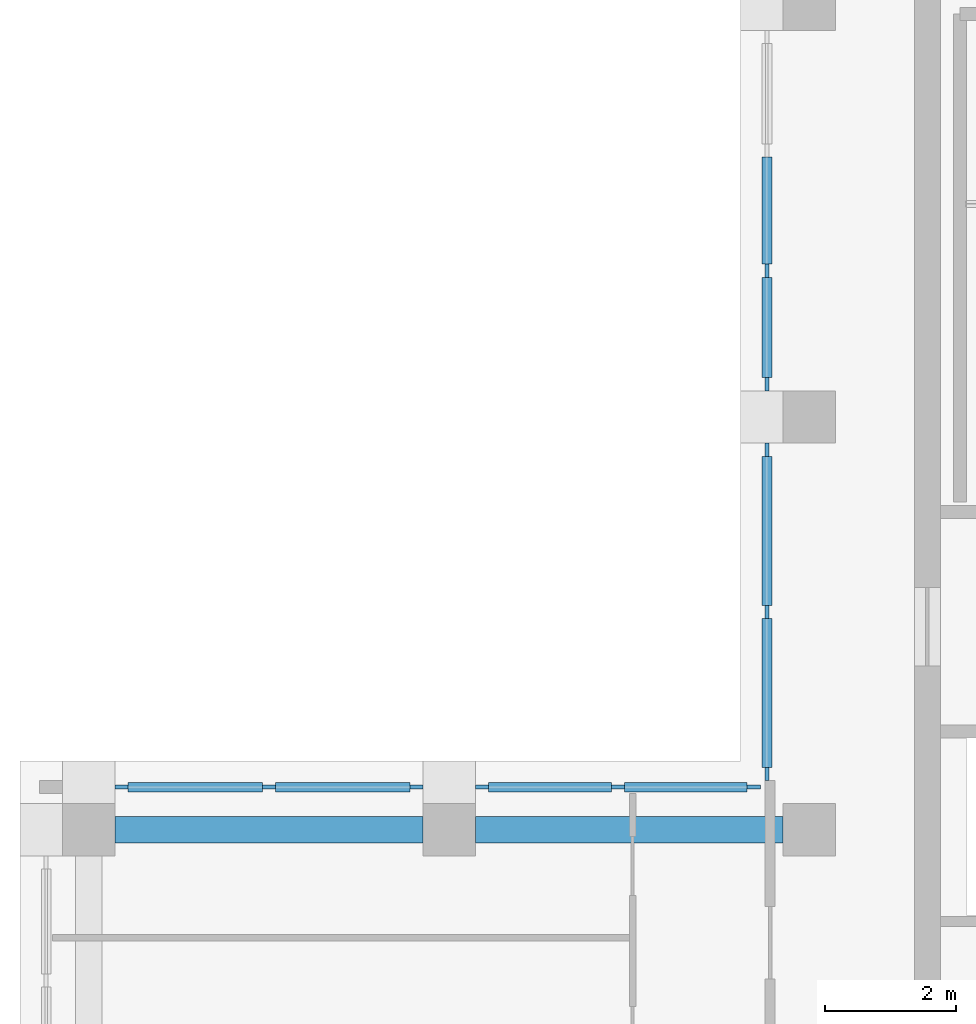
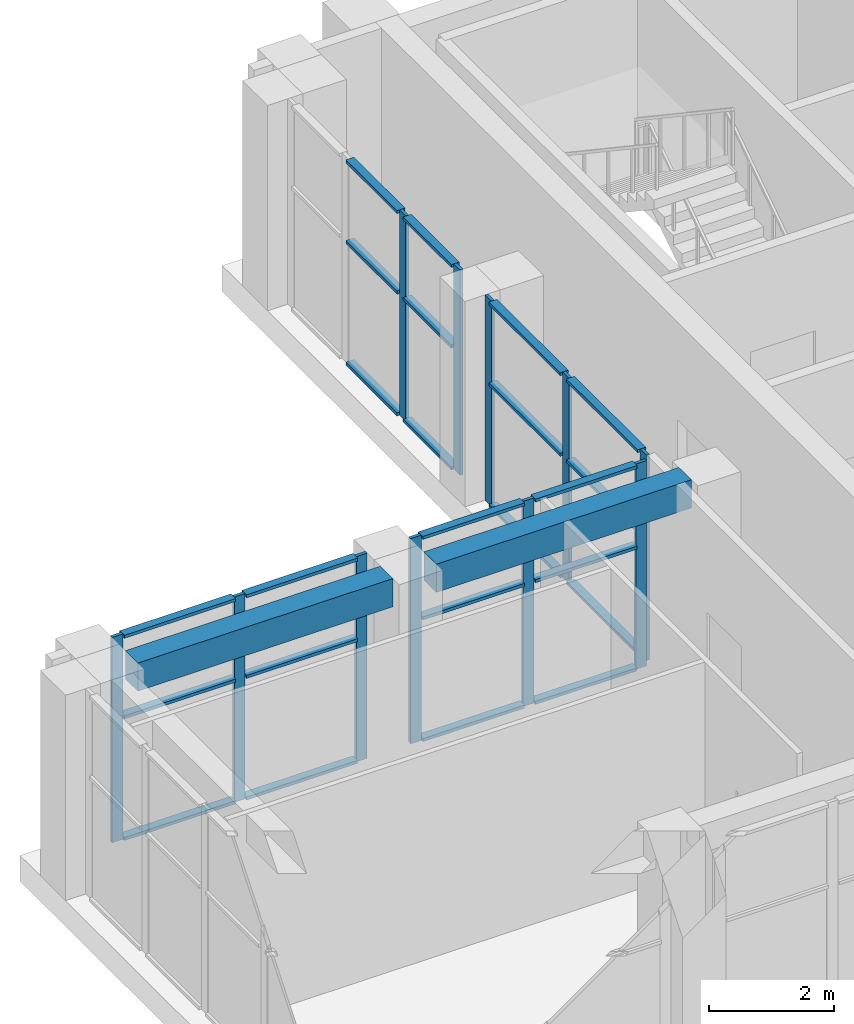
# One storey, part 4 of 14: 35 members, 2 beams, 4 elements without a shape of their own.
"""IFC4 building model written with IfcOpenShell, lengths in metres."""

from ifc_helpers import new_model, si_unit, direction, frame, origin, origin_2d, place, context, subcontext, project, spatial, rectangle, extrude, material, material_profile, profile_set, type_object, element, aggregate, save


model = new_model("IFC4")

# Units and contexts
model_context = context("Model", 3, precision=1e-05, world=origin(), true_north=direction((0.0, 1.0)))
body_context = subcontext(model_context, "Body", "Model", "MODEL_VIEW")
ifc_project = project(units=[si_unit("LENGTHUNIT", "METRE"), si_unit("AREAUNIT", "SQUARE_METRE"), si_unit("VOLUMEUNIT", "CUBIC_METRE"), si_unit("PLANEANGLEUNIT", "RADIAN"), si_unit("MASSUNIT", "GRAM", prefix="KILO")], contexts=[model_context])

# Site, building, storey
site_placement = place(None, origin())
site = spatial("IfcSite", under=ifc_project, at=site_placement, CompositionType="ELEMENT")
building_placement = place(site_placement, origin())
building = spatial("IfcBuilding", under=site, at=building_placement, Name="Vermilion Ogive Tower", CompositionType="ELEMENT")
storey_placement = place(building_placement, frame((0.0, 0.0, 289.35009765625)))
storey = spatial("IfcBuildingStorey", under=building, at=storey_placement, Name="L75", CompositionType="ELEMENT", Elevation=289.35009765625)

# Curtain wall, members
ifc_material_1 = material(Name="Low-iron laminated glazing in aluminium frame", Category="aluminium")
curtain_wall_type = type_object("IfcCurtainWallType", Name="Curtain wall CW3", PredefinedType="NOTDEFINED", material=ifc_material_1)
curtain_wall_1_placement = place(storey_placement, origin())
curtain_wall_1 = element("IfcCurtainWall", 1, at=curtain_wall_1_placement, inside=storey, type_object=curtain_wall_type, Name="CW3 glazing X51", PredefinedType="NOTDEFINED")
ifc_material_2 = material(Name="Aluminium mullion", Category="aluminium")
ifc_material_profile_1 = material_profile(ifc_material_2, rectangle(XDim=0.06005859375, YDim=0.199951171875, at=origin_2d()), Name="AL 60x200")
ifc_profile_set_1 = profile_set([ifc_material_profile_1], Name="Aluminium mullion")
member_type_1 = type_object("IfcMemberType", Name="CW3 mullion 60x200", PredefinedType="MULLION", material=ifc_profile_set_1)
member_1_placement = place(storey_placement, frame((-10.64990234375, 16.933349609375, 0.0), z_axis=(0.0, 0.0, 1.0), x_axis=(1.0, 0.0, 0.0)))
member_1 = element("IfcMember", 2, at=member_1_placement, type_object=member_type_1, Name="CW3-X51 mullion 3", PredefinedType="MULLION", context=body_context, shape_type="SweptSolid", body=[
    extrude(rectangle(XDim=0.06005859375, YDim=0.199951171875, at=origin_2d()), origin(), (0.0, 0.0, 1.0), 4.0),
])
member_2_placement = place(storey_placement, frame((-10.64990234375, 15.199951171875, 0.0), z_axis=(0.0, 0.0, 1.0), x_axis=(1.0, 0.0, 0.0)))
member_2 = element("IfcMember", 3, at=member_2_placement, type_object=member_type_1, Name="CW3-X51 mullion 4", PredefinedType="MULLION", context=body_context, shape_type="SweptSolid", body=[
    extrude(rectangle(XDim=0.06005859375, YDim=0.199951171875, at=origin_2d()), origin(), (0.0, 0.0, 1.0), 4.0),
])

curtain_wall_2_placement = place(storey_placement, origin())
curtain_wall_2 = element("IfcCurtainWall", 4, at=curtain_wall_2_placement, inside=storey, type_object=curtain_wall_type, Name="CW3 glazing X52", PredefinedType="NOTDEFINED")
member_3_placement = place(storey_placement, frame((-10.64990234375, 14.199951171875, 0.0), z_axis=(0.0, 0.0, 1.0), x_axis=(1.0, 0.0, 0.0)))
member_3 = element("IfcMember", 5, at=member_3_placement, type_object=member_type_1, Name="CW3-X52 mullion 1", PredefinedType="MULLION", context=body_context, shape_type="SweptSolid", body=[
    extrude(rectangle(XDim=0.06005859375, YDim=0.199951171875, at=origin_2d()), origin(), (0.0, 0.0, 1.0), 4.0),
])
member_4_placement = place(storey_placement, frame((-10.64990234375, 11.72509765625, 0.0), z_axis=(0.0, 0.0, 1.0), x_axis=(1.0, 0.0, 0.0)))
member_4 = element("IfcMember", 6, at=member_4_placement, type_object=member_type_1, Name="CW3-X52 mullion 2", PredefinedType="MULLION", context=body_context, shape_type="SweptSolid", body=[
    extrude(rectangle(XDim=0.06005859375, YDim=0.199951171875, at=origin_2d()), origin(), (0.0, 0.0, 1.0), 4.0),
])
member_5_placement = place(storey_placement, frame((-10.64990234375, 9.25, 0.0), z_axis=(0.0, 0.0, 1.0), x_axis=(1.0, 0.0, 0.0)))
member_5 = element("IfcMember", 7, at=member_5_placement, type_object=member_type_1, Name="CW3-X52 mullion 3", PredefinedType="MULLION", context=body_context, shape_type="SweptSolid", body=[
    extrude(rectangle(XDim=0.06005859375, YDim=0.199951171875, at=origin_2d()), origin(), (0.0, 0.0, 1.0), 4.0),
])

curtain_wall_3_placement = place(storey_placement, origin())
curtain_wall_3 = element("IfcCurtainWall", 8, at=curtain_wall_3_placement, inside=storey, type_object=curtain_wall_type, Name="CW3 glazing X61", PredefinedType="NOTDEFINED")
member_6_placement = place(storey_placement, frame((-10.85009765625, 9.050048828125, 0.0), z_axis=(0.0, 0.0, 1.0), x_axis=(0.0, -1.0, 0.0)))
member_6 = element("IfcMember", 9, at=member_6_placement, type_object=member_type_1, Name="CW3-X61 mullion 1", PredefinedType="MULLION", context=body_context, shape_type="SweptSolid", body=[
    extrude(rectangle(XDim=0.06005859375, YDim=0.199951171875, at=origin_2d()), origin(), (0.0, 0.0, 1.0), 4.0),
])
member_7_placement = place(storey_placement, frame((-12.925048828125, 9.050048828125, 0.0), z_axis=(0.0, 0.0, 1.0), x_axis=(0.0, -1.0, 0.0)))
member_7 = element("IfcMember", 10, at=member_7_placement, type_object=member_type_1, Name="CW3-X61 mullion 2", PredefinedType="MULLION", context=body_context, shape_type="SweptSolid", body=[
    extrude(rectangle(XDim=0.06005859375, YDim=0.199951171875, at=origin_2d()), origin(), (0.0, 0.0, 1.0), 4.0),
])
member_8_placement = place(storey_placement, frame((-15.0, 9.050048828125, 0.0), z_axis=(0.0, 0.0, 1.0), x_axis=(0.0, -1.0, 0.0)))
member_8 = element("IfcMember", 11, at=member_8_placement, type_object=member_type_1, Name="CW3-X61 mullion 3", PredefinedType="MULLION", context=body_context, shape_type="SweptSolid", body=[
    extrude(rectangle(XDim=0.06005859375, YDim=0.199951171875, at=origin_2d()), origin(), (0.0, 0.0, 1.0), 4.0),
])

curtain_wall_4_placement = place(storey_placement, origin())
curtain_wall_4 = element("IfcCurtainWall", 12, at=curtain_wall_4_placement, inside=storey, type_object=curtain_wall_type, Name="CW3 glazing X62", PredefinedType="NOTDEFINED")
member_9_placement = place(storey_placement, frame((-16.0, 9.050048828125, 0.0), z_axis=(0.0, 0.0, 1.0), x_axis=(0.0, -1.0, 0.0)))
member_9 = element("IfcMember", 13, at=member_9_placement, type_object=member_type_1, Name="CW3-X62 mullion 1", PredefinedType="MULLION", context=body_context, shape_type="SweptSolid", body=[
    extrude(rectangle(XDim=0.06005859375, YDim=0.199951171875, at=origin_2d()), origin(), (0.0, 0.0, 1.0), 4.0),
])
member_10_placement = place(storey_placement, frame((-18.25, 9.050048828125, 0.0), z_axis=(0.0, 0.0, 1.0), x_axis=(0.0, -1.0, 0.0)))
member_10 = element("IfcMember", 14, at=member_10_placement, type_object=member_type_1, Name="CW3-X62 mullion 2", PredefinedType="MULLION", context=body_context, shape_type="SweptSolid", body=[
    extrude(rectangle(XDim=0.06005859375, YDim=0.199951171875, at=origin_2d()), origin(), (0.0, 0.0, 1.0), 4.0),
])
member_11_placement = place(storey_placement, frame((-20.5, 9.050048828125, 0.0), z_axis=(0.0, 0.0, 1.0), x_axis=(0.0, -1.0, 0.0)))
member_11 = element("IfcMember", 15, at=member_11_placement, type_object=member_type_1, Name="CW3-X62 mullion 3", PredefinedType="MULLION", context=body_context, shape_type="SweptSolid", body=[
    extrude(rectangle(XDim=0.06005859375, YDim=0.199951171875, at=origin_2d()), origin(), (0.0, 0.0, 1.0), 4.0),
])

# Member
ifc_material_3 = material(Name="Aluminium transom", Category="aluminium")
ifc_material_profile_2 = material_profile(ifc_material_3, rectangle(XDim=0.14990234375, YDim=0.06005859375, at=origin_2d()), Name="AL 60x150")
ifc_profile_set_2 = profile_set([ifc_material_profile_2], Name="Aluminium transom")
member_type_2 = type_object("IfcMemberType", Name="CW3 transom 60x150", PredefinedType="USERDEFINED", material=ifc_profile_set_2)
member_12_placement = place(storey_placement, frame((-10.64990234375, 18.666748046875, 0.02978515625), z_axis=(0.0, -1.0, 0.0), x_axis=(1.0, 0.0, 0.0)))
member_12 = element("IfcMember", 16, at=member_12_placement, type_object=member_type_2, Name="CW3-X51 transom 2.1", ObjectType="TRANSOM", PredefinedType="USERDEFINED", context=body_context, shape_type="SweptSolid", body=[
    extrude(rectangle(XDim=0.14990234375, YDim=0.06005859375, at=origin_2d()), origin(), (0.0, 0.0, 1.0), 1.63330078125),
])

member_13_placement = place(storey_placement, frame((-10.64990234375, 18.666748046875, 2.39990234375), z_axis=(0.0, -1.0, 0.0), x_axis=(1.0, 0.0, 0.0)))
member_13 = element("IfcMember", 17, at=member_13_placement, type_object=member_type_2, Name="CW3-X51 transom 2.2", ObjectType="TRANSOM", PredefinedType="USERDEFINED", context=body_context, shape_type="SweptSolid", body=[
    extrude(rectangle(XDim=0.14990234375, YDim=0.06005859375, at=origin_2d()), origin(), (0.0, 0.0, 1.0), 1.63330078125),
])

member_14_placement = place(storey_placement, frame((-10.64990234375, 18.666748046875, 3.969970703125), z_axis=(0.0, -1.0, 0.0), x_axis=(1.0, 0.0, 0.0)))
member_14 = element("IfcMember", 18, at=member_14_placement, type_object=member_type_2, Name="CW3-X51 transom 2.3", ObjectType="TRANSOM", PredefinedType="USERDEFINED", context=body_context, shape_type="SweptSolid", body=[
    extrude(rectangle(XDim=0.14990234375, YDim=0.06005859375, at=origin_2d()), origin(), (0.0, 0.0, 1.0), 1.63330078125),
])

member_15_placement = place(storey_placement, frame((-10.64990234375, 16.833251953125, 0.02978515625), z_axis=(0.0, -1.0, 0.0), x_axis=(1.0, 0.0, 0.0)))
member_15 = element("IfcMember", 19, at=member_15_placement, type_object=member_type_2, Name="CW3-X51 transom 3.1", ObjectType="TRANSOM", PredefinedType="USERDEFINED", context=body_context, shape_type="SweptSolid", body=[
    extrude(rectangle(XDim=0.14990234375, YDim=0.06005859375, at=origin_2d()), origin(), (0.0, 0.0, 1.0), 1.533203125),
])

member_16_placement = place(storey_placement, frame((-10.64990234375, 16.833251953125, 2.39990234375), z_axis=(0.0, -1.0, 0.0), x_axis=(1.0, 0.0, 0.0)))
member_16 = element("IfcMember", 20, at=member_16_placement, type_object=member_type_2, Name="CW3-X51 transom 3.2", ObjectType="TRANSOM", PredefinedType="USERDEFINED", context=body_context, shape_type="SweptSolid", body=[
    extrude(rectangle(XDim=0.14990234375, YDim=0.06005859375, at=origin_2d()), origin(), (0.0, 0.0, 1.0), 1.533203125),
])

member_17_placement = place(storey_placement, frame((-10.64990234375, 16.833251953125, 3.969970703125), z_axis=(0.0, -1.0, 0.0), x_axis=(1.0, 0.0, 0.0)))
member_17 = element("IfcMember", 21, at=member_17_placement, type_object=member_type_2, Name="CW3-X51 transom 3.3", ObjectType="TRANSOM", PredefinedType="USERDEFINED", context=body_context, shape_type="SweptSolid", body=[
    extrude(rectangle(XDim=0.14990234375, YDim=0.06005859375, at=origin_2d()), origin(), (0.0, 0.0, 1.0), 1.533203125),
])

aggregate(curtain_wall_1, [member_1, member_2, member_12, member_13, member_14, member_15, member_16, member_17])

member_18_placement = place(storey_placement, frame((-10.64990234375, 14.10009765625, 0.02978515625), z_axis=(0.0, -1.0, 0.0), x_axis=(1.0, 0.0, 0.0)))
member_18 = element("IfcMember", 22, at=member_18_placement, type_object=member_type_2, Name="CW3-X52 transom 1.1", ObjectType="TRANSOM", PredefinedType="USERDEFINED", context=body_context, shape_type="SweptSolid", body=[
    extrude(rectangle(XDim=0.14990234375, YDim=0.06005859375, at=origin_2d()), origin(), (0.0, 0.0, 1.0), 2.275146484375),
])

member_19_placement = place(storey_placement, frame((-10.64990234375, 14.10009765625, 2.39990234375), z_axis=(0.0, -1.0, 0.0), x_axis=(1.0, 0.0, 0.0)))
member_19 = element("IfcMember", 23, at=member_19_placement, type_object=member_type_2, Name="CW3-X52 transom 1.2", ObjectType="TRANSOM", PredefinedType="USERDEFINED", context=body_context, shape_type="SweptSolid", body=[
    extrude(rectangle(XDim=0.14990234375, YDim=0.06005859375, at=origin_2d()), origin(), (0.0, 0.0, 1.0), 2.275146484375),
])

member_20_placement = place(storey_placement, frame((-10.64990234375, 14.10009765625, 3.969970703125), z_axis=(0.0, -1.0, 0.0), x_axis=(1.0, 0.0, 0.0)))
member_20 = element("IfcMember", 24, at=member_20_placement, type_object=member_type_2, Name="CW3-X52 transom 1.3", ObjectType="TRANSOM", PredefinedType="USERDEFINED", context=body_context, shape_type="SweptSolid", body=[
    extrude(rectangle(XDim=0.14990234375, YDim=0.06005859375, at=origin_2d()), origin(), (0.0, 0.0, 1.0), 2.275146484375),
])

member_21_placement = place(storey_placement, frame((-10.64990234375, 11.625, 0.02978515625), z_axis=(0.0, -1.0, 0.0), x_axis=(1.0, 0.0, 0.0)))
member_21 = element("IfcMember", 25, at=member_21_placement, type_object=member_type_2, Name="CW3-X52 transom 2.1", ObjectType="TRANSOM", PredefinedType="USERDEFINED", context=body_context, shape_type="SweptSolid", body=[
    extrude(rectangle(XDim=0.14990234375, YDim=0.06005859375, at=origin_2d()), origin(), (0.0, 0.0, 1.0), 2.27490234375),
])

member_22_placement = place(storey_placement, frame((-10.64990234375, 11.625, 2.39990234375), z_axis=(0.0, -1.0, 0.0), x_axis=(1.0, 0.0, 0.0)))
member_22 = element("IfcMember", 26, at=member_22_placement, type_object=member_type_2, Name="CW3-X52 transom 2.2", ObjectType="TRANSOM", PredefinedType="USERDEFINED", context=body_context, shape_type="SweptSolid", body=[
    extrude(rectangle(XDim=0.14990234375, YDim=0.06005859375, at=origin_2d()), origin(), (0.0, 0.0, 1.0), 2.27490234375),
])

member_23_placement = place(storey_placement, frame((-10.64990234375, 11.625, 3.969970703125), z_axis=(0.0, -1.0, 0.0), x_axis=(1.0, 0.0, 0.0)))
member_23 = element("IfcMember", 27, at=member_23_placement, type_object=member_type_2, Name="CW3-X52 transom 2.3", ObjectType="TRANSOM", PredefinedType="USERDEFINED", context=body_context, shape_type="SweptSolid", body=[
    extrude(rectangle(XDim=0.14990234375, YDim=0.06005859375, at=origin_2d()), origin(), (0.0, 0.0, 1.0), 2.27490234375),
])

aggregate(curtain_wall_2, [member_3, member_4, member_5, member_18, member_19, member_20, member_21, member_22, member_23])

member_24_placement = place(storey_placement, frame((-10.949951171875, 9.050048828125, 0.02978515625), z_axis=(-1.0, 0.0, 0.0), x_axis=(0.0, -1.0, 0.0)))
member_24 = element("IfcMember", 28, at=member_24_placement, type_object=member_type_2, Name="CW3-X61 transom 1.1", ObjectType="TRANSOM", PredefinedType="USERDEFINED", context=body_context, shape_type="SweptSolid", body=[
    extrude(rectangle(XDim=0.14990234375, YDim=0.06005859375, at=origin_2d()), origin(), (0.0, 0.0, 1.0), 1.875),
])

member_25_placement = place(storey_placement, frame((-10.949951171875, 9.050048828125, 2.39990234375), z_axis=(-1.0, 0.0, 0.0), x_axis=(0.0, -1.0, 0.0)))
member_25 = element("IfcMember", 29, at=member_25_placement, type_object=member_type_2, Name="CW3-X61 transom 1.2", ObjectType="TRANSOM", PredefinedType="USERDEFINED", context=body_context, shape_type="SweptSolid", body=[
    extrude(rectangle(XDim=0.14990234375, YDim=0.06005859375, at=origin_2d()), origin(), (0.0, 0.0, 1.0), 1.875),
])

member_26_placement = place(storey_placement, frame((-10.949951171875, 9.050048828125, 3.969970703125), z_axis=(-1.0, 0.0, 0.0), x_axis=(0.0, -1.0, 0.0)))
member_26 = element("IfcMember", 30, at=member_26_placement, type_object=member_type_2, Name="CW3-X61 transom 1.3", ObjectType="TRANSOM", PredefinedType="USERDEFINED", context=body_context, shape_type="SweptSolid", body=[
    extrude(rectangle(XDim=0.14990234375, YDim=0.06005859375, at=origin_2d()), origin(), (0.0, 0.0, 1.0), 1.875),
])

member_27_placement = place(storey_placement, frame((-13.02490234375, 9.050048828125, 0.02978515625), z_axis=(-1.0, 0.0, 0.0), x_axis=(0.0, -1.0, 0.0)))
member_27 = element("IfcMember", 31, at=member_27_placement, type_object=member_type_2, Name="CW3-X61 transom 2.1", ObjectType="TRANSOM", PredefinedType="USERDEFINED", context=body_context, shape_type="SweptSolid", body=[
    extrude(rectangle(XDim=0.14990234375, YDim=0.06005859375, at=origin_2d()), origin(), (0.0, 0.0, 1.0), 1.875),
])

member_28_placement = place(storey_placement, frame((-13.02490234375, 9.050048828125, 2.39990234375), z_axis=(-1.0, 0.0, 0.0), x_axis=(0.0, -1.0, 0.0)))
member_28 = element("IfcMember", 32, at=member_28_placement, type_object=member_type_2, Name="CW3-X61 transom 2.2", ObjectType="TRANSOM", PredefinedType="USERDEFINED", context=body_context, shape_type="SweptSolid", body=[
    extrude(rectangle(XDim=0.14990234375, YDim=0.06005859375, at=origin_2d()), origin(), (0.0, 0.0, 1.0), 1.875),
])

member_29_placement = place(storey_placement, frame((-13.02490234375, 9.050048828125, 3.969970703125), z_axis=(-1.0, 0.0, 0.0), x_axis=(0.0, -1.0, 0.0)))
member_29 = element("IfcMember", 33, at=member_29_placement, type_object=member_type_2, Name="CW3-X61 transom 2.3", ObjectType="TRANSOM", PredefinedType="USERDEFINED", context=body_context, shape_type="SweptSolid", body=[
    extrude(rectangle(XDim=0.14990234375, YDim=0.06005859375, at=origin_2d()), origin(), (0.0, 0.0, 1.0), 1.875),
])

aggregate(curtain_wall_3, [member_6, member_7, member_8, member_24, member_25, member_26, member_27, member_28, member_29])

member_30_placement = place(storey_placement, frame((-16.10009765625, 9.050048828125, 0.02978515625), z_axis=(-1.0, 0.0, 0.0), x_axis=(0.0, -1.0, 0.0)))
member_30 = element("IfcMember", 34, at=member_30_placement, type_object=member_type_2, Name="CW3-X62 transom 1.1", ObjectType="TRANSOM", PredefinedType="USERDEFINED", context=body_context, shape_type="SweptSolid", body=[
    extrude(rectangle(XDim=0.14990234375, YDim=0.06005859375, at=origin_2d()), origin(), (0.0, 0.0, 1.0), 2.0498046875),
])

member_31_placement = place(storey_placement, frame((-16.10009765625, 9.050048828125, 2.39990234375), z_axis=(-1.0, 0.0, 0.0), x_axis=(0.0, -1.0, 0.0)))
member_31 = element("IfcMember", 35, at=member_31_placement, type_object=member_type_2, Name="CW3-X62 transom 1.2", ObjectType="TRANSOM", PredefinedType="USERDEFINED", context=body_context, shape_type="SweptSolid", body=[
    extrude(rectangle(XDim=0.14990234375, YDim=0.06005859375, at=origin_2d()), origin(), (0.0, 0.0, 1.0), 2.0498046875),
])

member_32_placement = place(storey_placement, frame((-16.10009765625, 9.050048828125, 3.969970703125), z_axis=(-1.0, 0.0, 0.0), x_axis=(0.0, -1.0, 0.0)))
member_32 = element("IfcMember", 36, at=member_32_placement, type_object=member_type_2, Name="CW3-X62 transom 1.3", ObjectType="TRANSOM", PredefinedType="USERDEFINED", context=body_context, shape_type="SweptSolid", body=[
    extrude(rectangle(XDim=0.14990234375, YDim=0.06005859375, at=origin_2d()), origin(), (0.0, 0.0, 1.0), 2.0498046875),
])

member_33_placement = place(storey_placement, frame((-18.35009765625, 9.050048828125, 0.02978515625), z_axis=(-1.0, 0.0, 0.0), x_axis=(0.0, -1.0, 0.0)))
member_33 = element("IfcMember", 37, at=member_33_placement, type_object=member_type_2, Name="CW3-X62 transom 2.1", ObjectType="TRANSOM", PredefinedType="USERDEFINED", context=body_context, shape_type="SweptSolid", body=[
    extrude(rectangle(XDim=0.14990234375, YDim=0.06005859375, at=origin_2d()), origin(), (0.0, 0.0, 1.0), 2.0498046875),
])

member_34_placement = place(storey_placement, frame((-18.35009765625, 9.050048828125, 2.39990234375), z_axis=(-1.0, 0.0, 0.0), x_axis=(0.0, -1.0, 0.0)))
member_34 = element("IfcMember", 38, at=member_34_placement, type_object=member_type_2, Name="CW3-X62 transom 2.2", ObjectType="TRANSOM", PredefinedType="USERDEFINED", context=body_context, shape_type="SweptSolid", body=[
    extrude(rectangle(XDim=0.14990234375, YDim=0.06005859375, at=origin_2d()), origin(), (0.0, 0.0, 1.0), 2.0498046875),
])

member_35_placement = place(storey_placement, frame((-18.35009765625, 9.050048828125, 3.969970703125), z_axis=(-1.0, 0.0, 0.0), x_axis=(0.0, -1.0, 0.0)))
member_35 = element("IfcMember", 39, at=member_35_placement, type_object=member_type_2, Name="CW3-X62 transom 2.3", ObjectType="TRANSOM", PredefinedType="USERDEFINED", context=body_context, shape_type="SweptSolid", body=[
    extrude(rectangle(XDim=0.14990234375, YDim=0.06005859375, at=origin_2d()), origin(), (0.0, 0.0, 1.0), 2.0498046875),
])

aggregate(curtain_wall_4, [member_9, member_10, member_11, member_30, member_31, member_32, member_33, member_34, member_35])

# Beams
ifc_material_4 = material(Name="Concrete B45", Category="concrete")
ifc_material_profile_3 = material_profile(ifc_material_4, rectangle(XDim=0.39990234375, YDim=0.550048828125, at=origin_2d()), Name="400 x 550")
ifc_profile_set_3 = profile_set([ifc_material_profile_3], Name="Concrete B45")
beam_type = type_object("IfcBeamType", Name="Edge beam 400 x 550 B45", PredefinedType="BEAM", material=ifc_profile_set_3)
for number, where, z_axis, x_axis, name in (
    (40, (-10.39990234375, 8.39990234375, 3.724853515625), (-1.0, 0.0, 0.0), (0.0, -1.0, 0.0), "L75-EB-11"),
    (41, (-15.89990234375, 8.39990234375, 3.724853515625), (-1.0, 0.0, 0.0), (0.0, -1.0, 0.0), "L75-EB-12"),
):
    element("IfcBeam", number, at=place(storey_placement, frame(where, z_axis=z_axis, x_axis=x_axis)), inside=storey, type_object=beam_type, Name=name, PredefinedType="BEAM", context=body_context, shape_type="SweptSolid", body=[
        extrude(rectangle(XDim=0.39990234375, YDim=0.550048828125, at=origin_2d()), origin(), (0.0, 0.0, 1.0), 4.7001953125),
    ])

save(model, "model.ifc")
